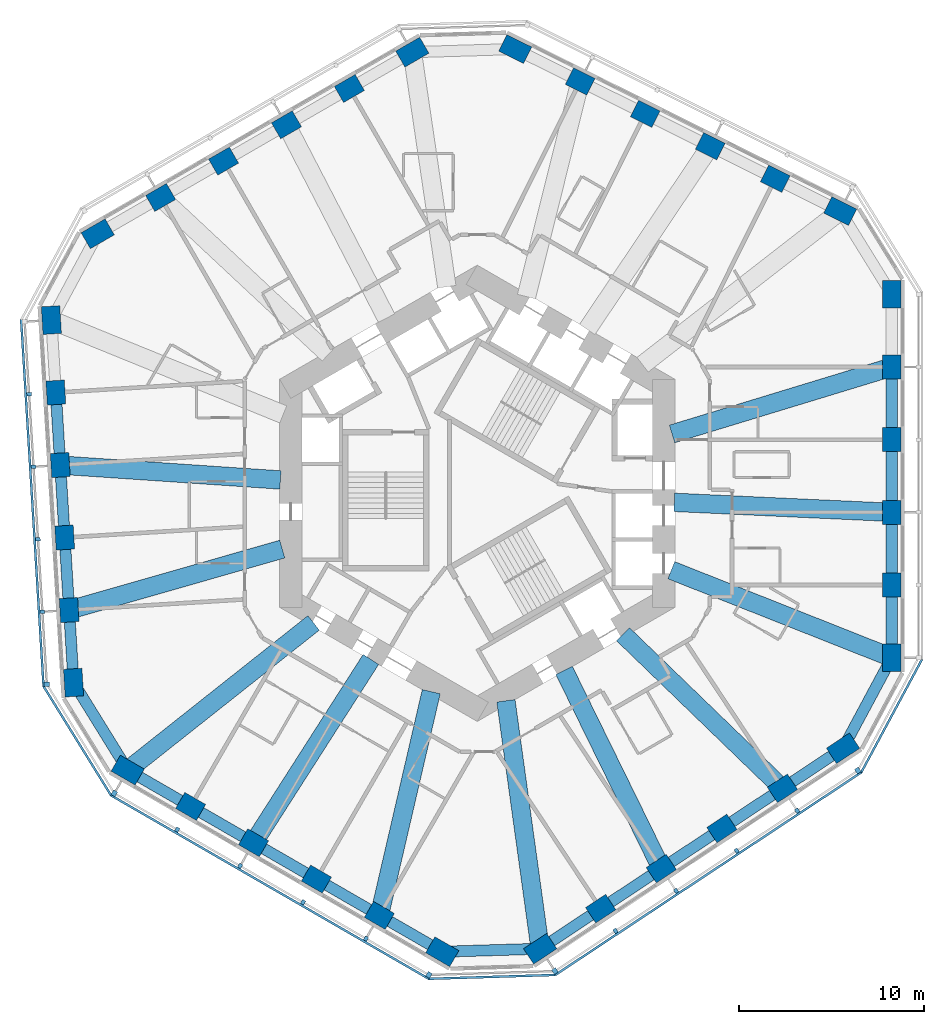
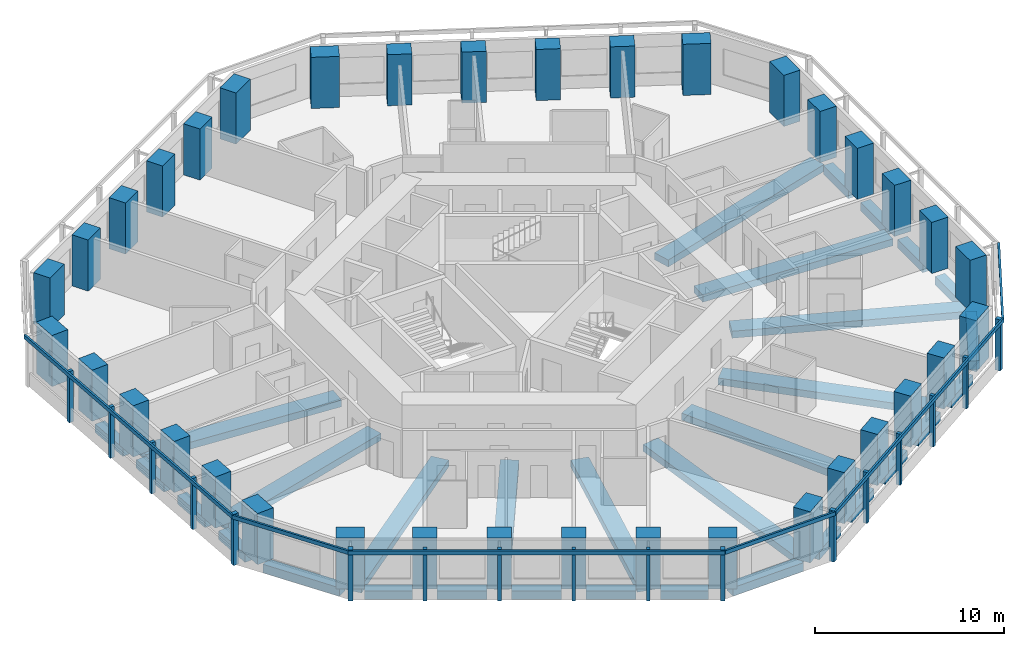
# One storey, part 1 of 12: 36 columns, 32 beams, 23 members, 6 elements without a shape of their own.
"""IFC4 building model written with IfcOpenShell, lengths in metres."""

import ifcopenshell
import ifcopenshell.guid

model = None  # the IFC model being written
_history = None  # IfcOwnerHistory: only IFC2X3 demands one
_inside = {}  # id of a spatial element -> (the spatial element, [elements in it])
_under = {}  # id of a project, library or spatial element -> (it, [spatial elements below it])
_declared = {}  # id of a project -> (the project, [libraries it declares])
_typed = {}  # id of a type object -> (the type object, [elements of that type])
_made_of = {}  # id of a material, layer set ... -> (it, [elements and type objects made of it])


def new_model(schema):
    """Start an empty IFC model of exactly this schema.

    Asked for "IFC4X3", IfcOpenShell would pick the latest addendum, in which some entities
    have other attributes; the version numbers below select the first issue.
    IFC2X3 requires an IfcOwnerHistory on every rooted entity: one is made here for all.
    """
    global model, _history
    if schema == "IFC4X3":
        model = ifcopenshell.file(schema_version=(4, 3, 0, 0))
    else:
        model = ifcopenshell.file(schema=schema)
    _inside.clear()
    _under.clear()
    _declared.clear()
    _typed.clear()
    _made_of.clear()
    _history = None
    if model.schema == "IFC2X3":
        org = make("IfcOrganization", Name="unknown")
        user = make(
            "IfcPersonAndOrganization",
            ThePerson=make("IfcPerson", FamilyName="unknown"),
            TheOrganization=org,
        )
        app = make(
            "IfcApplication",
            ApplicationDeveloper=org,
            Version="unknown",
            ApplicationFullName="unknown",
            ApplicationIdentifier="unknown",
        )
        _history = make(
            "IfcOwnerHistory",
            OwningUser=user,
            OwningApplication=app,
            ChangeAction="ADDED",
            CreationDate=0,
        )
    return model


def make(cls, **values):
    """One entity of the class cls with the attributes given. An attribute that is None is left unset."""
    return model.create_entity(
        cls, **{name: value for name, value in values.items() if value is not None}
    )


def rooted(cls, **values):
    """An entity with a GlobalId (a new one), such as an element, a storey or a relation."""
    return make(cls, GlobalId=ifcopenshell.guid.new(), OwnerHistory=_history, **values)


def si_unit(unit_type, name, prefix=None):
    """IfcSIUnit, for example si_unit("LENGTHUNIT", "METRE", prefix="MILLI")."""
    return make("IfcSIUnit", UnitType=unit_type, Prefix=prefix, Name=name)


def assignment(units):
    """IfcUnitAssignment: the units of a project."""
    return None if units is None else make("IfcUnitAssignment", Units=units)


def point(xyz):
    """IfcCartesianPoint."""
    return None if xyz is None else make("IfcCartesianPoint", Coordinates=xyz)


def direction(xyz):
    """IfcDirection."""
    return None if xyz is None else make("IfcDirection", DirectionRatios=xyz)


def frame(location, z_axis=None, x_axis=None):
    """IfcAxis2Placement3D, a coordinate frame: its origin and axes. An axis left out is left unset."""
    return make(
        "IfcAxis2Placement3D",
        Location=point(location),
        Axis=direction(z_axis),
        RefDirection=direction(x_axis),
    )


def frame_2d(location, x_axis=None):
    """IfcAxis2Placement2D, a coordinate frame in the plane: its origin and x axis."""
    return make(
        "IfcAxis2Placement2D", Location=point(location), RefDirection=direction(x_axis)
    )


def origin():
    """The frame at (0, 0, 0) with its axes left unset."""
    return frame((0.0, 0.0, 0.0))


def origin_2d():
    """The frame at (0, 0) in the plane with its x axis left unset."""
    return frame_2d((0.0, 0.0))


def place(relative_to, where):
    """IfcLocalPlacement: puts the frame where relative to a parent placement (None: the world)."""
    return make(
        "IfcLocalPlacement", PlacementRelTo=relative_to, RelativePlacement=where
    )


def context(
    kind, dimensions, precision=None, world=None, true_north=None, identifier=None
):
    """IfcGeometricRepresentationContext, for example the 3D "Model" context."""
    return make(
        "IfcGeometricRepresentationContext",
        ContextIdentifier=identifier,
        ContextType=kind,
        CoordinateSpaceDimension=dimensions,
        Precision=precision,
        WorldCoordinateSystem=world,
        TrueNorth=true_north,
    )


def subcontext(parent, identifier, kind, view, scale=None):
    """IfcGeometricRepresentationSubContext, for example "Body" below "Model"."""
    return make(
        "IfcGeometricRepresentationSubContext",
        ContextIdentifier=identifier,
        ContextType=kind,
        ParentContext=parent,
        TargetScale=scale,
        TargetView=view,
    )


def project(units=None, contexts=None):
    """IfcProject with its units and contexts."""
    return rooted(
        "IfcProject",
        Name="project",
        RepresentationContexts=contexts,
        UnitsInContext=assignment(units),
    )


def spatial(cls, under=None, at=None, **own):
    """A site, building, storey or space (cls), placed at a placement, below another one or the project."""
    s = rooted(cls, ObjectPlacement=at, **own)
    if under is not None:
        _under.setdefault(under.id(), (under, []))[1].append(s)
    return s


def profile(cls, at=None, kind="AREA", **sizes):
    """A parametric profile (cls). Its sizes go by their IFC names, for example OverallWidth=200.0."""
    return make(cls, ProfileType=kind, Position=at, **sizes)


def rectangle(**sizes):
    """IfcRectangleProfileDef."""
    return profile("IfcRectangleProfileDef", **sizes)


def extrude(swept, where, along, depth):
    """IfcExtrudedAreaSolid: the profile swept, set in the frame where, extruded along a direction by depth."""
    return make(
        "IfcExtrudedAreaSolid",
        SweptArea=swept,
        Position=where,
        ExtrudedDirection=direction(along),
        Depth=depth,
    )


def shape(context_of_items, identifier, shape_type, items):
    """IfcShapeRepresentation: the items that make up one representation, for example the "Body"."""
    return make(
        "IfcShapeRepresentation",
        ContextOfItems=context_of_items,
        RepresentationIdentifier=identifier,
        RepresentationType=shape_type,
        Items=items,
    )


def material(Name=None, Category=None):
    """IfcMaterial."""
    return make("IfcMaterial", Name=Name, Category=Category)


def material_profile(
    of_material, cross_section, Name=None, Category=None, Priority=None
):
    """IfcMaterialProfile: a cross section and its material."""
    return make(
        "IfcMaterialProfile",
        Name=Name,
        Material=of_material,
        Profile=cross_section,
        Priority=Priority,
        Category=Category,
    )


def profile_set(profiles, Name=None, composite=None):
    """IfcMaterialProfileSet."""
    return make(
        "IfcMaterialProfileSet",
        Name=Name,
        MaterialProfiles=profiles,
        CompositeProfile=composite,
    )


def made_of(thing, what):
    """Note that an element or type object is made of a material, layer set ...; save() writes the relation."""
    if what is not None:
        _made_of.setdefault(what.id(), (what, []))[1].append(thing)
    return thing


def type_object(cls, material=None, **own):
    """A type object (cls), such as IfcWallType, which elements share."""
    return made_of(rooted(cls, **own), material)


def element(
    cls,
    number,
    at=None,
    inside=None,
    cuts=None,
    type_object=None,
    material=None,
    context=None,
    identifier="Body",
    shape_type=None,
    held_by="IfcProductDefinitionShape",
    body=None,
    shapes=None,
    **own,
):
    """One element of the class cls, such as IfcWall. Its Tag is "e" and its number.

    at: its placement. inside: the storey or other place that contains it. cuts: it is an
    opening in that element (IfcRelVoidsElement). A single representation is given by context,
    identifier, shape_type and body (its items); several are given by shapes. held_by: the class
    of the entity that holds the representations. save() writes the other relations.
    """
    e = rooted(cls, Tag="e%d" % number, ObjectPlacement=at, **own)
    if body is not None:
        shapes = [shape(context, identifier, shape_type, body)]
    if shapes is not None:
        e.Representation = make(held_by, Representations=shapes)
    if inside is not None:
        _inside.setdefault(inside.id(), (inside, []))[1].append(e)
    if cuts is not None:
        rooted(
            "IfcRelVoidsElement", RelatingBuildingElement=cuts, RelatedOpeningElement=e
        )
    if type_object is not None:
        _typed.setdefault(type_object.id(), (type_object, []))[1].append(e)
    return made_of(e, material)


def aggregate(whole, parts):
    """IfcRelAggregates: a whole, such as a stair, and the parts it consists of."""
    return rooted("IfcRelAggregates", RelatingObject=whole, RelatedObjects=parts)


def save(model, path):
    """Write the relations noted so far, then the file.

    IfcRelAggregates (storeys below a building ...), IfcRelContainedInSpatialStructure (elements
    in a storey), IfcRelDefinesByType, IfcRelAssociatesMaterial and IfcRelDeclares: one each for
    every whole, place, type object, material and project.
    """
    for whole, parts in _under.values():
        aggregate(whole, parts)
    for where, things in _inside.values():
        rooted(
            "IfcRelContainedInSpatialStructure",
            RelatedElements=things,
            RelatingStructure=where,
        )
    for kind, things in _typed.values():
        rooted("IfcRelDefinesByType", RelatedObjects=things, RelatingType=kind)
    for what, things in _made_of.values():
        rooted("IfcRelAssociatesMaterial", RelatedObjects=things, RelatingMaterial=what)
    for by, libraries in _declared.values():
        rooted("IfcRelDeclares", RelatingContext=by, RelatedDefinitions=libraries)
    model.write(path)


model = new_model("IFC4")

# Units and contexts
model_context = context("Model", 3, precision=1e-05, world=origin(), true_north=direction((0.0, 1.0)))
body_context = subcontext(model_context, "Body", "Model", "MODEL_VIEW")
ifc_project = project(units=[si_unit("LENGTHUNIT", "METRE"), si_unit("AREAUNIT", "SQUARE_METRE"), si_unit("VOLUMEUNIT", "CUBIC_METRE"), si_unit("PLANEANGLEUNIT", "RADIAN"), si_unit("MASSUNIT", "GRAM", prefix="KILO")], contexts=[model_context])

# Site, building, storey
site_placement = place(None, origin())
site = spatial("IfcSite", under=ifc_project, at=site_placement, CompositionType="ELEMENT")
building_placement = place(site_placement, origin())
building = spatial("IfcBuilding", under=site, at=building_placement, Name="Vanh Sen Convention Tower", CompositionType="ELEMENT")
storey_placement = place(building_placement, frame((0.0, 0.0, 57.199951171875)))
storey = spatial("IfcBuildingStorey", under=building, at=storey_placement, Name="L11", CompositionType="ELEMENT", Elevation=57.199951171875)

# Columns
ifc_material_1 = material(Name="Concrete C80/95", Category="concrete")
ifc_material_profile_1 = material_profile(ifc_material_1, rectangle(XDim=1.300048828125, YDim=1.0, at=origin_2d()), Name="RC 1300X1000")
ifc_profile_set_1 = profile_set([ifc_material_profile_1], Name="Concrete C80/95")
column_type_1 = type_object("IfcColumnType", Name="Facade column 1300 x 1000 C80/95", PredefinedType="COLUMN", material=ifc_profile_set_1)
for number, where, z_axis, x_axis, name in (
    (1, (22.449951171875, -4.964599609375, 0.0), (0.0, 0.0, 1.0), (0.0, 1.0, 0.0), "Facade column 02 L11"),
    (2, (22.449951171875, -1.030029296875, 0.0), (0.0, 0.0, 1.0), (0.0, 1.0, 0.0), "Facade column 03 L11"),
    (3, (22.449951171875, 2.904541015625, 0.0), (0.0, 0.0, 1.0), (0.0, 1.0, 0.0), "Facade column 04 L11"),
    (4, (22.449951171875, 6.839111328125, 0.0), (0.0, 0.0, 1.0), (0.0, 1.0, 0.0), "Facade column 05 L11"),
    (5, (16.1376953125, 17.039794921875, 0.0), (0.0, 0.0, 1.0), (-0.894934361602, 0.44619781311, 0.0), "Facade column 08 L11"),
    (6, (12.616455078125, 18.79541015625, 0.0), (0.0, 0.0, 1.0), (-0.894934361602, 0.44619781311, 0.0), "Facade column 09 L11"),
    (7, (9.09521484375, 20.55078125, 0.0), (0.0, 0.0, 1.0), (-0.894934361602, 0.44619781311, 0.0), "Facade column 10 L11"),
    (8, (5.57421875, 22.306396484375, 0.0), (0.0, 0.0, 1.0), (-0.894934361602, 0.44619781311, 0.0), "Facade column 11 L11"),
    (9, (-6.925537109375, 21.924560546875, 0.0), (0.0, 0.0, 1.0), (-0.866025403784, -0.5, 0.0), "Facade column 14 L11"),
    (10, (-10.3330078125, 19.957275390625, 0.0), (0.0, 0.0, 1.0), (-0.866025403784, -0.5, 0.0), "Facade column 15 L11"),
    (11, (-13.740478515625, 17.989990234375, 0.0), (0.0, 0.0, 1.0), (-0.866025403784, -0.5, 0.0), "Facade column 16 L11"),
    (12, (-17.14794921875, 16.022705078125, 0.0), (0.0, 0.0, 1.0), (-0.866025403784, -0.5, 0.0), "Facade column 17 L11"),
    (13, (-22.82568359375, 5.455810546875, 0.0), (0.0, 0.0, 1.0), (0.061048539535, -0.998134798422, 0.0), "Facade column 20 L11"),
    (14, (-22.58544921875, 1.528564453125, 0.0), (0.0, 0.0, 1.0), (0.061048539535, -0.998134798422, 0.0), "Facade column 21 L11"),
    (15, (-22.34521484375, -2.398681640625, 0.0), (0.0, 0.0, 1.0), (0.061048539535, -0.998134798422, 0.0), "Facade column 22 L11"),
    (16, (-22.10498046875, -6.325927734375, 0.0), (0.0, 0.0, 1.0), (0.061048539535, -0.998134798422, 0.0), "Facade column 23 L11"),
    (17, (-15.5244140625, -16.9599609375, 0.0), (0.0, 0.0, 1.0), (0.866025403784, -0.5, 0.0), "Facade column 26 L11"),
    (18, (-12.1171875, -18.92724609375, 0.0), (0.0, 0.0, 1.0), (0.866025403784, -0.5, 0.0), "Facade column 27 L11"),
    (19, (-8.709716796875, -20.89453125, 0.0), (0.0, 0.0, 1.0), (0.866025403784, -0.5, 0.0), "Facade column 28 L11"),
    (20, (-5.302001953125, -22.86181640625, 0.0), (0.0, 0.0, 1.0), (0.866025403784, -0.5, 0.0), "Facade column 29 L11"),
    (21, (6.68798828125, -22.49560546875, 0.0), (0.0, 0.0, 1.0), (0.833885822067, 0.551936985312, 0.0), "Facade column 32 L11"),
    (22, (9.968994140625, -20.323974609375, 0.0), (0.0, 0.0, 1.0), (0.833885822067, 0.551936985312, 0.0), "Facade column 33 L11"),
    (23, (13.25, -18.152099609375, 0.0), (0.0, 0.0, 1.0), (0.833885822067, 0.551936985312, 0.0), "Facade column 34 L11"),
    (24, (16.531005859375, -15.980712890625, 0.0), (0.0, 0.0, 1.0), (0.833885822067, 0.551936985312, 0.0), "Facade column 35 L11"),
):
    element("IfcColumn", number, at=place(storey_placement, frame(where, z_axis=z_axis, x_axis=x_axis)), inside=storey, type_object=column_type_1, Name=name, PredefinedType="COLUMN", context=body_context, shape_type="SweptSolid", body=[
        extrude(rectangle(XDim=1.300048828125, YDim=1.0, at=origin_2d()), origin(), (0.0, 0.0, 1.0), 3.300048828125),
    ])
ifc_material_profile_2 = material_profile(ifc_material_1, rectangle(XDim=1.5, YDim=1.0, at=origin_2d()), Name="RC 1500X1000")
ifc_profile_set_2 = profile_set([ifc_material_profile_2], Name="Concrete C80/95")
column_type_2 = type_object("IfcColumnType", Name="Facade corner column 1500 x 1000 C80/95", PredefinedType="COLUMN", material=ifc_profile_set_2)
for number, where, z_axis, x_axis, name in (
    (25, (22.449951171875, -8.899169921875, 0.0), (0.0, 0.0, 1.0), (0.0, 1.0, 0.0), "Facade column 01 L11"),
    (26, (22.449951171875, 10.773681640625, 0.0), (0.0, 0.0, 1.0), (0.0, 1.0, 0.0), "Facade column 06 L11"),
    (27, (19.658935546875, 15.2841796875, 0.0), (0.0, 0.0, 1.0), (-0.894934361602, 0.44619781311, 0.0), "Facade column 07 L11"),
    (28, (2.052978515625, 24.06201171875, 0.0), (0.0, 0.0, 1.0), (-0.894934361602, 0.44619781311, 0.0), "Facade column 12 L11"),
    (29, (-3.51806640625, 23.891845703125, 0.0), (0.0, 0.0, 1.0), (-0.866025403784, -0.5, 0.0), "Facade column 13 L11"),
    (30, (-20.555419921875, 14.055419921875, 0.0), (0.0, 0.0, 1.0), (-0.866025403784, -0.5, 0.0), "Facade column 18 L11"),
    (31, (-23.06591796875, 9.383056640625, 0.0), (0.0, 0.0, 1.0), (0.061048539535, -0.998134798422, 0.0), "Facade column 19 L11"),
    (32, (-21.86474609375, -10.253173828125, 0.0), (0.0, 0.0, 1.0), (0.061048539535, -0.998134798422, 0.0), "Facade column 24 L11"),
    (33, (-18.931884765625, -14.99267578125, 0.0), (0.0, 0.0, 1.0), (0.866025403784, -0.5, 0.0), "Facade column 25 L11"),
    (34, (-1.894775390625, -24.8291015625, 0.0), (0.0, 0.0, 1.0), (0.866025403784, -0.5, 0.0), "Facade column 30 L11"),
    (35, (3.406982421875, -24.6669921875, 0.0), (0.0, 0.0, 1.0), (0.833885822067, 0.551936985312, 0.0), "Facade column 31 L11"),
    (36, (19.81201171875, -13.808837890625, 0.0), (0.0, 0.0, 1.0), (0.833885822067, 0.551936985312, 0.0), "Facade column 36 L11"),
):
    element("IfcColumn", number, at=place(storey_placement, frame(where, z_axis=z_axis, x_axis=x_axis)), inside=storey, type_object=column_type_2, Name=name, PredefinedType="COLUMN", context=body_context, shape_type="SweptSolid", body=[
        extrude(rectangle(XDim=1.5, YDim=1.0, at=origin_2d()), origin(), (0.0, 0.0, 1.0), 3.300048828125),
    ])

# Curtain wall, member
ifc_material_2 = material(Name="Concrete C50/60", Category="concrete")
curtain_wall_type = type_object("IfcCurtainWallType", Name="Outer skin hotel zone", PredefinedType="NOTDEFINED", material=ifc_material_2)
curtain_wall_1_placement = place(storey_placement, origin())
curtain_wall_1 = element("IfcCurtainWall", 37, at=curtain_wall_1_placement, inside=storey, type_object=curtain_wall_type, Name="OUTER SKIN W L11", PredefinedType="NOTDEFINED")
ifc_material_profile_3 = material_profile(ifc_material_2, rectangle(XDim=0.25, YDim=0.300048828125, at=origin_2d()), Name="Outer skin precast corner fin 250 x 300")
ifc_profile_set_3 = profile_set([ifc_material_profile_3], Name="Concrete C50/60")
member_type_1 = type_object("IfcMemberType", Name="Outer skin precast corner fin 250 x 300", PredefinedType="MULLION", material=ifc_profile_set_3)
member_1_placement = place(storey_placement, frame((-23.31201171875, -10.341796875, 0.0), z_axis=(0.0, 0.0, 1.0), x_axis=(0.061048539535, -0.998134798422, 0.0)))
member_1 = element("IfcMember", 38, at=member_1_placement, type_object=member_type_1, Name="OUTER SKIN CORNER FIN 6 W L11", PredefinedType="MULLION", context=body_context, shape_type="SweptSolid", body=[
    extrude(rectangle(XDim=0.25, YDim=0.300048828125, at=origin_2d()), origin(), (0.0, 0.0, 1.0), 3.300048828125),
])

# Curtain wall, members
curtain_wall_2_placement = place(storey_placement, origin())
curtain_wall_2 = element("IfcCurtainWall", 39, at=curtain_wall_2_placement, inside=storey, type_object=curtain_wall_type, Name="OUTER SKIN SW L11", PredefinedType="NOTDEFINED")
member_2_placement = place(storey_placement, frame((-19.656982421875, -16.248291015625, 0.0), z_axis=(0.0, 0.0, 1.0), x_axis=(0.866025403784, -0.5, 0.0)))
member_2 = element("IfcMember", 40, at=member_2_placement, type_object=member_type_1, Name="OUTER SKIN CORNER FIN 1 SW L11", PredefinedType="MULLION", context=body_context, shape_type="SweptSolid", body=[
    extrude(rectangle(XDim=0.25, YDim=0.300048828125, at=origin_2d()), origin(), (0.0, 0.0, 1.0), 3.300048828125),
])
member_3_placement = place(storey_placement, frame((-2.61962890625, -26.084716796875, 0.0), z_axis=(0.0, 0.0, 1.0), x_axis=(0.866025403784, -0.5, 0.0)))
member_3 = element("IfcMember", 41, at=member_3_placement, type_object=member_type_1, Name="OUTER SKIN CORNER FIN 6 SW L11", PredefinedType="MULLION", context=body_context, shape_type="SweptSolid", body=[
    extrude(rectangle(XDim=0.25, YDim=0.300048828125, at=origin_2d()), origin(), (0.0, 0.0, 1.0), 3.300048828125),
])

curtain_wall_3_placement = place(storey_placement, origin())
curtain_wall_3 = element("IfcCurtainWall", 42, at=curtain_wall_3_placement, inside=storey, type_object=curtain_wall_type, Name="OUTER SKIN SE L11", PredefinedType="NOTDEFINED")
member_4_placement = place(storey_placement, frame((4.207275390625, -25.876220703125, 0.0), z_axis=(0.0, 0.0, 1.0), x_axis=(0.833885822067, 0.551936985312, 0.0)))
member_4 = element("IfcMember", 43, at=member_4_placement, type_object=member_type_1, Name="OUTER SKIN CORNER FIN 1 SE L11", PredefinedType="MULLION", context=body_context, shape_type="SweptSolid", body=[
    extrude(rectangle(XDim=0.25, YDim=0.300048828125, at=origin_2d()), origin(), (0.0, 0.0, 1.0), 3.300048828125),
])
member_5_placement = place(storey_placement, frame((20.6123046875, -15.01806640625, 0.0), z_axis=(0.0, 0.0, 1.0), x_axis=(0.833885822067, 0.551936985312, 0.0)))
member_5 = element("IfcMember", 44, at=member_5_placement, type_object=member_type_1, Name="OUTER SKIN CORNER FIN 6 SE L11", PredefinedType="MULLION", context=body_context, shape_type="SweptSolid", body=[
    extrude(rectangle(XDim=0.25, YDim=0.300048828125, at=origin_2d()), origin(), (0.0, 0.0, 1.0), 3.300048828125),
])

# Member
ifc_material_profile_4 = material_profile(ifc_material_2, rectangle(XDim=0.199951171875, YDim=0.25, at=origin_2d()), Name="Outer skin precast fin 200 x 250")
ifc_profile_set_4 = profile_set([ifc_material_profile_4], Name="Concrete C50/60")
member_type_2 = type_object("IfcMemberType", Name="Outer skin precast fin 200 x 250", PredefinedType="MULLION", material=ifc_profile_set_4)
member_6_placement = place(storey_placement, frame((-24.27294921875, 5.3671875, 0.0), z_axis=(0.0, 0.0, 1.0), x_axis=(0.061048539535, -0.998134798422, 0.0)))
member_6 = element("IfcMember", 45, at=member_6_placement, type_object=member_type_2, Name="OUTER SKIN fin 2 W L11", PredefinedType="MULLION", context=body_context, shape_type="SweptSolid", body=[
    extrude(rectangle(XDim=0.199951171875, YDim=0.25, at=origin_2d()), origin(), (0.0, 0.0, 1.0), 3.300048828125),
])

member_7_placement = place(storey_placement, frame((-24.03271484375, 1.440185546875, 0.0), z_axis=(0.0, 0.0, 1.0), x_axis=(0.061048539535, -0.998134798422, 0.0)))
member_7 = element("IfcMember", 46, at=member_7_placement, type_object=member_type_2, Name="OUTER SKIN fin 3 W L11", PredefinedType="MULLION", context=body_context, shape_type="SweptSolid", body=[
    extrude(rectangle(XDim=0.199951171875, YDim=0.25, at=origin_2d()), origin(), (0.0, 0.0, 1.0), 3.300048828125),
])

member_8_placement = place(storey_placement, frame((-23.79248046875, -2.4873046875, 0.0), z_axis=(0.0, 0.0, 1.0), x_axis=(0.061048539535, -0.998134798422, 0.0)))
member_8 = element("IfcMember", 47, at=member_8_placement, type_object=member_type_2, Name="OUTER SKIN fin 4 W L11", PredefinedType="MULLION", context=body_context, shape_type="SweptSolid", body=[
    extrude(rectangle(XDim=0.199951171875, YDim=0.25, at=origin_2d()), origin(), (0.0, 0.0, 1.0), 3.300048828125),
])

member_9_placement = place(storey_placement, frame((-23.55224609375, -6.414306640625, 0.0), z_axis=(0.0, 0.0, 1.0), x_axis=(0.061048539535, -0.998134798422, 0.0)))
member_9 = element("IfcMember", 48, at=member_9_placement, type_object=member_type_2, Name="OUTER SKIN fin 5 W L11", PredefinedType="MULLION", context=body_context, shape_type="SweptSolid", body=[
    extrude(rectangle(XDim=0.199951171875, YDim=0.25, at=origin_2d()), origin(), (0.0, 0.0, 1.0), 3.300048828125),
])

member_10_placement = place(storey_placement, frame((-16.24951171875, -18.2158203125, 0.0), z_axis=(0.0, 0.0, 1.0), x_axis=(0.866025403784, -0.5, 0.0)))
member_10 = element("IfcMember", 49, at=member_10_placement, type_object=member_type_2, Name="OUTER SKIN fin 2 SW L11", PredefinedType="MULLION", context=body_context, shape_type="SweptSolid", body=[
    extrude(rectangle(XDim=0.199951171875, YDim=0.25, at=origin_2d()), origin(), (0.0, 0.0, 1.0), 3.300048828125),
])

member_11_placement = place(storey_placement, frame((-12.842041015625, -20.182861328125, 0.0), z_axis=(0.0, 0.0, 1.0), x_axis=(0.866025403784, -0.5, 0.0)))
member_11 = element("IfcMember", 50, at=member_11_placement, type_object=member_type_2, Name="OUTER SKIN fin 3 SW L11", PredefinedType="MULLION", context=body_context, shape_type="SweptSolid", body=[
    extrude(rectangle(XDim=0.199951171875, YDim=0.25, at=origin_2d()), origin(), (0.0, 0.0, 1.0), 3.300048828125),
])

member_12_placement = place(storey_placement, frame((-9.4345703125, -22.150146484375, 0.0), z_axis=(0.0, 0.0, 1.0), x_axis=(0.866025403784, -0.5, 0.0)))
member_12 = element("IfcMember", 51, at=member_12_placement, type_object=member_type_2, Name="OUTER SKIN fin 4 SW L11", PredefinedType="MULLION", context=body_context, shape_type="SweptSolid", body=[
    extrude(rectangle(XDim=0.199951171875, YDim=0.25, at=origin_2d()), origin(), (0.0, 0.0, 1.0), 3.300048828125),
])

member_13_placement = place(storey_placement, frame((-6.027099609375, -24.117431640625, 0.0), z_axis=(0.0, 0.0, 1.0), x_axis=(0.866025403784, -0.5, 0.0)))
member_13 = element("IfcMember", 52, at=member_13_placement, type_object=member_type_2, Name="OUTER SKIN fin 5 SW L11", PredefinedType="MULLION", context=body_context, shape_type="SweptSolid", body=[
    extrude(rectangle(XDim=0.199951171875, YDim=0.25, at=origin_2d()), origin(), (0.0, 0.0, 1.0), 3.300048828125),
])

member_14_placement = place(storey_placement, frame((7.48828125, -23.70458984375, 0.0), z_axis=(0.0, 0.0, 1.0), x_axis=(0.833885822067, 0.551936985312, 0.0)))
member_14 = element("IfcMember", 53, at=member_14_placement, type_object=member_type_2, Name="OUTER SKIN fin 2 SE L11", PredefinedType="MULLION", context=body_context, shape_type="SweptSolid", body=[
    extrude(rectangle(XDim=0.199951171875, YDim=0.25, at=origin_2d()), origin(), (0.0, 0.0, 1.0), 3.300048828125),
])

member_15_placement = place(storey_placement, frame((10.769287109375, -21.532958984375, 0.0), z_axis=(0.0, 0.0, 1.0), x_axis=(0.833885822067, 0.551936985312, 0.0)))
member_15 = element("IfcMember", 54, at=member_15_placement, type_object=member_type_2, Name="OUTER SKIN fin 3 SE L11", PredefinedType="MULLION", context=body_context, shape_type="SweptSolid", body=[
    extrude(rectangle(XDim=0.199951171875, YDim=0.25, at=origin_2d()), origin(), (0.0, 0.0, 1.0), 3.300048828125),
])

member_16_placement = place(storey_placement, frame((14.05029296875, -19.361328125, 0.0), z_axis=(0.0, 0.0, 1.0), x_axis=(0.833885822067, 0.551936985312, 0.0)))
member_16 = element("IfcMember", 55, at=member_16_placement, type_object=member_type_2, Name="OUTER SKIN fin 4 SE L11", PredefinedType="MULLION", context=body_context, shape_type="SweptSolid", body=[
    extrude(rectangle(XDim=0.199951171875, YDim=0.25, at=origin_2d()), origin(), (0.0, 0.0, 1.0), 3.300048828125),
])

member_17_placement = place(storey_placement, frame((17.331298828125, -17.189697265625, 0.0), z_axis=(0.0, 0.0, 1.0), x_axis=(0.833885822067, 0.551936985312, 0.0)))
member_17 = element("IfcMember", 56, at=member_17_placement, type_object=member_type_2, Name="OUTER SKIN fin 5 SE L11", PredefinedType="MULLION", context=body_context, shape_type="SweptSolid", body=[
    extrude(rectangle(XDim=0.199951171875, YDim=0.25, at=origin_2d()), origin(), (0.0, 0.0, 1.0), 3.300048828125),
])

ifc_material_profile_5 = material_profile(ifc_material_2, rectangle(XDim=0.1201171875, YDim=0.25, at=origin_2d()), Name="Outer skin precast spandrel band 250 x 120")
ifc_profile_set_5 = profile_set([ifc_material_profile_5], Name="Concrete C50/60")
member_type_3 = type_object("IfcMemberType", Name="Outer skin precast spandrel band 250 x 120", PredefinedType="USERDEFINED", material=ifc_profile_set_5)
member_18_placement = place(storey_placement, frame((-24.705322265625, 9.408203125, 3.175048828125), z_axis=(0.061050017989, -0.998134707995, 0.0), x_axis=(0.998134707995, 0.061050017989, 0.0)))
member_18 = element("IfcMember", 57, at=member_18_placement, type_object=member_type_3, Name="OUTER SKIN spandrel band W L11", ObjectType="TRANSOM", PredefinedType="USERDEFINED", context=body_context, shape_type="SweptSolid", body=[
    extrude(rectangle(XDim=0.1201171875, YDim=0.25, at=origin_2d()), origin(), (0.0, 0.0, 1.0), 19.923095703125),
])

aggregate(curtain_wall_1, [member_6, member_7, member_8, member_9, member_1, member_18])

# Curtain wall, member
curtain_wall_4_placement = place(storey_placement, origin())
curtain_wall_4 = element("IfcCurtainWall", 58, at=curtain_wall_4_placement, inside=storey, type_object=curtain_wall_type, Name="OUTER SKIN CH4 L11", PredefinedType="NOTDEFINED")
member_19_placement = place(storey_placement, frame((-23.49072265625, -10.4521484375, 3.175048828125), z_axis=(0.526196095141, -0.850363257354, 0.0), x_axis=(0.850363257354, 0.526196095141, 0.0)))
member_19 = element("IfcMember", 59, at=member_19_placement, type_object=member_type_3, Name="OUTER SKIN spandrel band CH4 L11", ObjectType="TRANSOM", PredefinedType="USERDEFINED", context=body_context, shape_type="SweptSolid", body=[
    extrude(rectangle(XDim=0.1201171875, YDim=0.25, at=origin_2d()), origin(), (0.0, 0.0, 1.0), 6.946044921875),
])
aggregate(curtain_wall_4, [member_19])

# Member
member_20_placement = place(storey_placement, frame((-19.85791015625, -16.34619140625, 3.175048828125), z_axis=(0.866028047459, -0.499995420993, 0.0), x_axis=(0.499995420993, 0.866028047459, 0.0)))
member_20 = element("IfcMember", 60, at=member_20_placement, type_object=member_type_3, Name="OUTER SKIN spandrel band SW L11", ObjectType="TRANSOM", PredefinedType="USERDEFINED", context=body_context, shape_type="SweptSolid", body=[
    extrude(rectangle(XDim=0.1201171875, YDim=0.25, at=origin_2d()), origin(), (0.0, 0.0, 1.0), 19.923095703125),
])

aggregate(curtain_wall_2, [member_2, member_10, member_11, member_12, member_13, member_3, member_20])

# Curtain wall, member
curtain_wall_5_placement = place(storey_placement, origin())
curtain_wall_5 = element("IfcCurtainWall", 61, at=curtain_wall_5_placement, inside=storey, type_object=curtain_wall_type, Name="OUTER SKIN CH5 L11", PredefinedType="NOTDEFINED")
member_21_placement = place(storey_placement, frame((-2.61328125, -26.294677734375, 3.175048828125), z_axis=(0.99953396928, 0.030526124156, 0.0), x_axis=(-0.030526124156, 0.99953396928, 0.0)))
member_21 = element("IfcMember", 62, at=member_21_placement, type_object=member_type_3, Name="OUTER SKIN spandrel band CH5 L11", ObjectType="TRANSOM", PredefinedType="USERDEFINED", context=body_context, shape_type="SweptSolid", body=[
    extrude(rectangle(XDim=0.1201171875, YDim=0.25, at=origin_2d()), origin(), (0.0, 0.0, 1.0), 6.830078125),
])
aggregate(curtain_wall_5, [member_21])

# Member
member_22_placement = place(storey_placement, frame((4.205078125, -26.099609375, 3.175048828125), z_axis=(0.833883851182, 0.551939962984, 0.0), x_axis=(-0.551939962984, 0.833883851182, 0.0)))
member_22 = element("IfcMember", 63, at=member_22_placement, type_object=member_type_3, Name="OUTER SKIN spandrel band SE L11", ObjectType="TRANSOM", PredefinedType="USERDEFINED", context=body_context, shape_type="SweptSolid", body=[
    extrude(rectangle(XDim=0.1201171875, YDim=0.25, at=origin_2d()), origin(), (0.0, 0.0, 1.0), 19.923095703125),
])

aggregate(curtain_wall_3, [member_4, member_14, member_15, member_16, member_17, member_5, member_22])

# Curtain wall, member
curtain_wall_6_placement = place(storey_placement, origin())
curtain_wall_6 = element("IfcCurtainWall", 64, at=curtain_wall_6_placement, inside=storey, type_object=curtain_wall_type, Name="OUTER SKIN CH6 L11", PredefinedType="NOTDEFINED")
member_23_placement = place(storey_placement, frame((20.797119140625, -15.117431640625, 3.175048828125), z_axis=(0.473324148816, 0.880888330123, 0.0), x_axis=(-0.880888330123, 0.473324148816, 0.0)))
member_23 = element("IfcMember", 65, at=member_23_placement, type_object=member_type_3, Name="OUTER SKIN spandrel band CH6 L11", ObjectType="TRANSOM", PredefinedType="USERDEFINED", context=body_context, shape_type="SweptSolid", body=[
    extrude(rectangle(XDim=0.1201171875, YDim=0.25, at=origin_2d()), origin(), (0.0, 0.0, 1.0), 6.9462890625),
])
aggregate(curtain_wall_6, [member_23])

# Beams
ifc_material_3 = material(Name="Concrete C50/60", Category="concrete")
ifc_material_profile_6 = material_profile(ifc_material_3, rectangle(XDim=1.0, YDim=0.449951171875, at=origin_2d()), Name="RC 1000X450")
ifc_profile_set_6 = profile_set([ifc_material_profile_6], Name="Concrete C50/60")
beam_type_1 = type_object("IfcBeamType", Name="Radial floor beam 1000 x 450", PredefinedType="BEAM", material=ifc_profile_set_6)
beam_1_placement = place(storey_placement, frame((22.138916015625, -8.77587890625, -0.474853515625), z_axis=(-0.929624483463, 0.368508235655, 0.0), x_axis=(-0.368508235655, -0.929624483463, 0.0)))
element("IfcBeam", 66, at=beam_1_placement, inside=storey, type_object=beam_type_1, Name="Radial beam 01 L11", PredefinedType="BEAM", context=body_context, shape_type="SweptSolid", body=[
    extrude(rectangle(XDim=1.0, YDim=0.449951171875, at=origin_2d()), origin(), (0.0, 0.0, 1.0), 12.50830078125),
])
beam_2_placement = place(storey_placement, frame((21.977783203125, -1.00830078125, -0.474853515625), z_axis=(-0.998949774884, 0.045818634401, 0.0), x_axis=(-0.045818634401, -0.998949774884, 0.0)))
element("IfcBeam", 67, at=beam_2_placement, inside=storey, type_object=beam_type_1, Name="Radial beam 02 L11", PredefinedType="BEAM", context=body_context, shape_type="SweptSolid", body=[
    extrude(rectangle(XDim=1.0, YDim=0.449951171875, at=origin_2d()), origin(), (0.0, 0.0, 1.0), 11.317626953125),
])
beam_3_placement = place(storey_placement, frame((22.1005859375, 6.732666015625, -0.474853515625), z_axis=(-0.95659843119, -0.291409405211, 0.0), x_axis=(0.291409405211, -0.95659843119, 0.0)))
element("IfcBeam", 68, at=beam_3_placement, inside=storey, type_object=beam_type_1, Name="Radial beam 03 L11", PredefinedType="BEAM", context=body_context, shape_type="SweptSolid", body=[
    extrude(rectangle(XDim=1.0, YDim=0.449951171875, at=origin_2d()), origin(), (0.0, 0.0, 1.0), 12.0751953125),
])
beam_4_placement = place(storey_placement, frame((-22.15185546875, 1.499267578125, -0.474853515625), z_axis=(0.997718156648, -0.067516515721, 0.0), x_axis=(0.067516515721, 0.997718156648, 0.0)))
element("IfcBeam", 69, at=beam_4_placement, inside=storey, type_object=beam_type_1, Name="Radial beam 11 L11", PredefinedType="BEAM", context=body_context, shape_type="SweptSolid", body=[
    extrude(rectangle(XDim=1.0, YDim=0.449951171875, at=origin_2d()), origin(), (0.0, 0.0, 1.0), 11.51708984375),
])
beam_5_placement = place(storey_placement, frame((-21.723876953125, -6.216796875, -0.474853515625), z_axis=(0.961405669021, 0.275134766203, 0.0), x_axis=(-0.275134766203, 0.961405669021, 0.0)))
element("IfcBeam", 70, at=beam_5_placement, inside=storey, type_object=beam_type_1, Name="Radial beam 12 L11", PredefinedType="BEAM", context=body_context, shape_type="SweptSolid", body=[
    extrude(rectangle(XDim=1.0, YDim=0.449951171875, at=origin_2d()), origin(), (0.0, 0.0, 1.0), 11.614501953125),
])
beam_6_placement = place(storey_placement, frame((-18.669677734375, -14.784912109375, -0.474853515625), z_axis=(0.783946075621, 0.620828922102, 0.0), x_axis=(-0.620828922102, 0.783946075621, 0.0)))
element("IfcBeam", 71, at=beam_6_placement, inside=storey, type_object=beam_type_1, Name="Radial beam 13 L11", PredefinedType="BEAM", context=body_context, shape_type="SweptSolid", body=[
    extrude(rectangle(XDim=1.0, YDim=0.449951171875, at=origin_2d()), origin(), (0.0, 0.0, 1.0), 12.508056640625),
])
beam_7_placement = place(storey_placement, frame((-11.8623046875, -18.529296875, -0.474853515625), z_axis=(0.539168157523, 0.842198134594, 0.0), x_axis=(-0.842198134594, 0.539168157523, 0.0)))
element("IfcBeam", 72, at=beam_7_placement, inside=storey, type_object=beam_type_1, Name="Radial beam 14 L11", PredefinedType="BEAM", context=body_context, shape_type="SweptSolid", body=[
    extrude(rectangle(XDim=1.0, YDim=0.449951171875, at=origin_2d()), origin(), (0.0, 0.0, 1.0), 11.31787109375),
])
beam_8_placement = place(storey_placement, frame((-5.219482421875, -22.505859375, -0.474853515625), z_axis=(0.225921069531, 0.974145610441, 0.0), x_axis=(-0.974145610441, 0.225921069531, 0.0)))
element("IfcBeam", 73, at=beam_8_placement, inside=storey, type_object=beam_type_1, Name="Radial beam 15 L11", PredefinedType="BEAM", context=body_context, shape_type="SweptSolid", body=[
    extrude(rectangle(XDim=1.0, YDim=0.449951171875, at=origin_2d()), origin(), (0.0, 0.0, 1.0), 12.0751953125),
])
beam_9_placement = place(storey_placement, frame((3.364501953125, -24.3603515625, -0.474853515625), z_axis=(-0.136807007089, 0.990597719971, 0.0), x_axis=(-0.990597719971, -0.136807007089, 0.0)))
element("IfcBeam", 74, at=beam_9_placement, inside=storey, type_object=beam_type_1, Name="Radial beam 16 L11", PredefinedType="BEAM", context=body_context, shape_type="SweptSolid", body=[
    extrude(rectangle(XDim=1.0, YDim=0.449951171875, at=origin_2d()), origin(), (0.0, 0.0, 1.0), 13.24853515625),
])
beam_10_placement = place(storey_placement, frame((9.777587890625, -19.933837890625, -0.474853515625), z_axis=(-0.440374700847, 0.897814080339, 0.0), x_axis=(-0.897814080339, -0.440374700847, 0.0)))
element("IfcBeam", 75, at=beam_10_placement, inside=storey, type_object=beam_type_1, Name="Radial beam 17 L11", PredefinedType="BEAM", context=body_context, shape_type="SweptSolid", body=[
    extrude(rectangle(XDim=1.0, YDim=0.449951171875, at=origin_2d()), origin(), (0.0, 0.0, 1.0), 11.516845703125),
])
beam_11_placement = place(storey_placement, frame((16.245849609375, -15.705078125, -0.474853515625), z_axis=(-0.718976471313, 0.695034411881, 0.0), x_axis=(-0.695034411881, -0.718976471313, 0.0)))
element("IfcBeam", 76, at=beam_11_placement, inside=storey, type_object=beam_type_1, Name="Radial beam 18 L11", PredefinedType="BEAM", context=body_context, shape_type="SweptSolid", body=[
    extrude(rectangle(XDim=1.0, YDim=0.449951171875, at=origin_2d()), origin(), (0.0, 0.0, 1.0), 11.614501953125),
])
ifc_material_profile_7 = material_profile(ifc_material_3, rectangle(XDim=0.60009765625, YDim=0.550048828125, at=origin_2d()), Name="RC 600X550")
ifc_profile_set_7 = profile_set([ifc_material_profile_7], Name="Concrete C50/60")
beam_type_2 = type_object("IfcBeamType", Name="Spandrel beam 600 x 550", PredefinedType="SPANDREL", material=ifc_profile_set_7)
beam_12_placement = place(storey_placement, frame((22.449951171875, -8.154296875, -0.52490234375), z_axis=(0.0, 1.0, 0.0), x_axis=(-1.0, 0.0, 0.0)))
element("IfcBeam", 77, at=beam_12_placement, inside=storey, type_object=beam_type_2, Name="Spandrel beam 01 L11", PredefinedType="SPANDREL", context=body_context, shape_type="SweptSolid", body=[
    extrude(rectangle(XDim=0.60009765625, YDim=0.550048828125, at=origin_2d()), origin(), (0.0, 0.0, 1.0), 2.544677734375),
])
for number, where, z_axis, x_axis, name in (
    (78, (22.449951171875, -4.319580078125, -0.52490234375), (0.0, 1.0, 0.0), (-1.0, 0.0, 0.0), "Spandrel beam 02 L11"),
    (79, (22.449951171875, -0.385009765625, -0.52490234375), (0.0, 1.0, 0.0), (-1.0, 0.0, 0.0), "Spandrel beam 03 L11"),
    (80, (22.449951171875, 3.549560546875, -0.52490234375), (0.0, 1.0, 0.0), (-1.0, 0.0, 0.0), "Spandrel beam 04 L11"),
    (81, (-22.7861328125, 4.81201171875, -0.52490234375), (0.061021844318, -0.998136430813, 0.0), (0.998136430813, 0.061021844318, 0.0), "Spandrel beam 20 L11"),
    (82, (-22.5458984375, 0.884765625, -0.52490234375), (0.061021844318, -0.998136430813, 0.0), (0.998136430813, 0.061021844318, 0.0), "Spandrel beam 21 L11"),
    (83, (-22.305908203125, -3.04248046875, -0.52490234375), (0.061113817246, -0.998130803723, 0.0), (0.998130803723, 0.061113817246, 0.0), "Spandrel beam 22 L11"),
):
    element("IfcBeam", number, at=place(storey_placement, frame(where, z_axis=z_axis, x_axis=x_axis)), inside=storey, type_object=beam_type_2, Name=name, PredefinedType="SPANDREL", context=body_context, shape_type="SweptSolid", body=[
        extrude(rectangle(XDim=0.60009765625, YDim=0.550048828125, at=origin_2d()), origin(), (0.0, 0.0, 1.0), 2.64453125),
    ])
beam_13_placement = place(storey_placement, frame((-22.065673828125, -6.9697265625, -0.52490234375), z_axis=(0.061022277531, -0.998136404328, 0.0), x_axis=(0.998136404328, 0.061022277531, 0.0)))
element("IfcBeam", 84, at=beam_13_placement, inside=storey, type_object=beam_type_2, Name="Spandrel beam 23 L11", PredefinedType="SPANDREL", context=body_context, shape_type="SweptSolid", body=[
    extrude(rectangle(XDim=0.60009765625, YDim=0.550048828125, at=origin_2d()), origin(), (0.0, 0.0, 1.0), 2.54443359375),
])
beam_14_placement = place(storey_placement, frame((-21.605224609375, -10.672607421875, -0.52490234375), z_axis=(0.526195204359, -0.850363808561, 0.0), x_axis=(0.850363808561, 0.526195204359, 0.0)))
element("IfcBeam", 85, at=beam_14_placement, inside=storey, type_object=beam_type_2, Name="Spandrel beam 24 L11", PredefinedType="SPANDREL", context=body_context, shape_type="SweptSolid", body=[
    extrude(rectangle(XDim=0.60009765625, YDim=0.550048828125, at=origin_2d()), origin(), (0.0, 0.0, 1.0), 4.58740234375),
])
beam_15_placement = place(storey_placement, frame((-18.286865234375, -15.365234375, -0.52490234375), z_axis=(0.866056180903, -0.499946688677, 0.0), x_axis=(0.499946688677, 0.866056180903, 0.0)))
element("IfcBeam", 86, at=beam_15_placement, inside=storey, type_object=beam_type_2, Name="Spandrel beam 25 L11", PredefinedType="SPANDREL", context=body_context, shape_type="SweptSolid", body=[
    extrude(rectangle(XDim=0.60009765625, YDim=0.550048828125, at=origin_2d()), origin(), (0.0, 0.0, 1.0), 2.544677734375),
])
beam_16_placement = place(storey_placement, frame((-14.9658203125, -17.282470703125, -0.52490234375), z_axis=(0.866007234284, -0.500031469177, 0.0), x_axis=(0.500031469177, 0.866007234284, 0.0)))
element("IfcBeam", 87, at=beam_16_placement, inside=storey, type_object=beam_type_2, Name="Spandrel beam 26 L11", PredefinedType="SPANDREL", context=body_context, shape_type="SweptSolid", body=[
    extrude(rectangle(XDim=0.60009765625, YDim=0.550048828125, at=origin_2d()), origin(), (0.0, 0.0, 1.0), 2.644287109375),
])
for number, where, z_axis, x_axis, name in (
    (88, (-11.55859375, -19.249755859375, -0.52490234375), (0.866030315638, -0.499991492324, 0.0), (0.499991492324, 0.866030315638, 0.0), "Spandrel beam 27 L11"),
    (89, (-8.15087890625, -21.217041015625, -0.52490234375), (0.866030315638, -0.499991492324, 0.0), (0.499991492324, 0.866030315638, 0.0), "Spandrel beam 28 L11"),
):
    element("IfcBeam", number, at=place(storey_placement, frame(where, z_axis=z_axis, x_axis=x_axis)), inside=storey, type_object=beam_type_2, Name=name, PredefinedType="SPANDREL", context=body_context, shape_type="SweptSolid", body=[
        extrude(rectangle(XDim=0.60009765625, YDim=0.550048828125, at=origin_2d()), origin(), (0.0, 0.0, 1.0), 2.64453125),
    ])
beam_17_placement = place(storey_placement, frame((-4.743408203125, -23.184326171875, -0.52490234375), z_axis=(0.866032197868, -0.499988232117, 0.0), x_axis=(0.499988232117, 0.866032197868, 0.0)))
element("IfcBeam", 90, at=beam_17_placement, inside=storey, type_object=beam_type_2, Name="Spandrel beam 29 L11", PredefinedType="SPANDREL", context=body_context, shape_type="SweptSolid", body=[
    extrude(rectangle(XDim=0.60009765625, YDim=0.550048828125, at=origin_2d()), origin(), (0.0, 0.0, 1.0), 2.54443359375),
])
beam_18_placement = place(storey_placement, frame((-1.4345703125, -24.81494140625, -0.52490234375), z_axis=(0.999534100542, 0.030521825872, 0.0), x_axis=(-0.030521825872, 0.999534100542, 0.0)))
element("IfcBeam", 91, at=beam_18_placement, inside=storey, type_object=beam_type_2, Name="Spandrel beam 30 L11", PredefinedType="SPANDREL", context=body_context, shape_type="SweptSolid", body=[
    extrude(rectangle(XDim=0.60009765625, YDim=0.550048828125, at=origin_2d()), origin(), (0.0, 0.0, 1.0), 4.38330078125),
])
beam_19_placement = place(storey_placement, frame((4.028076171875, -24.255859375, -0.52490234375), z_axis=(0.833905579906, 0.551907133313, 0.0), x_axis=(-0.551907133313, 0.833905579906, 0.0)))
element("IfcBeam", 92, at=beam_19_placement, inside=storey, type_object=beam_type_2, Name="Spandrel beam 31 L11", PredefinedType="SPANDREL", context=body_context, shape_type="SweptSolid", body=[
    extrude(rectangle(XDim=0.60009765625, YDim=0.550048828125, at=origin_2d()), origin(), (0.0, 0.0, 1.0), 2.54443359375),
])
beam_20_placement = place(storey_placement, frame((7.225830078125, -22.139404296875, -0.52490234375), z_axis=(0.833892212548, 0.551927330227, 0.0), x_axis=(-0.551927330227, 0.833892212548, 0.0)))
element("IfcBeam", 93, at=beam_20_placement, inside=storey, type_object=beam_type_2, Name="Spandrel beam 32 L11", PredefinedType="SPANDREL", context=body_context, shape_type="SweptSolid", body=[
    extrude(rectangle(XDim=0.60009765625, YDim=0.550048828125, at=origin_2d()), origin(), (0.0, 0.0, 1.0), 2.644287109375),
])
beam_21_placement = place(storey_placement, frame((10.5068359375, -19.968017578125, -0.52490234375), z_axis=(0.833849719202, 0.551991526916, 0.0), x_axis=(-0.551991526916, 0.833849719202, 0.0)))
element("IfcBeam", 94, at=beam_21_placement, inside=storey, type_object=beam_type_2, Name="Spandrel beam 33 L11", PredefinedType="SPANDREL", context=body_context, shape_type="SweptSolid", body=[
    extrude(rectangle(XDim=0.60009765625, YDim=0.550048828125, at=origin_2d()), origin(), (0.0, 0.0, 1.0), 2.64453125),
])
beam_22_placement = place(storey_placement, frame((13.787841796875, -17.796142578125, -0.52490234375), z_axis=(0.833892212548, 0.551927330227, 0.0), x_axis=(-0.551927330227, 0.833892212548, 0.0)))
element("IfcBeam", 95, at=beam_22_placement, inside=storey, type_object=beam_type_2, Name="Spandrel beam 34 L11", PredefinedType="SPANDREL", context=body_context, shape_type="SweptSolid", body=[
    extrude(rectangle(XDim=0.60009765625, YDim=0.550048828125, at=origin_2d()), origin(), (0.0, 0.0, 1.0), 2.644287109375),
])
beam_23_placement = place(storey_placement, frame((17.06884765625, -15.62451171875, -0.52490234375), z_axis=(0.833905579906, 0.551907133313, 0.0), x_axis=(-0.551907133313, 0.833905579906, 0.0)))
element("IfcBeam", 96, at=beam_23_placement, inside=storey, type_object=beam_type_2, Name="Spandrel beam 35 L11", PredefinedType="SPANDREL", context=body_context, shape_type="SweptSolid", body=[
    extrude(rectangle(XDim=0.60009765625, YDim=0.550048828125, at=origin_2d()), origin(), (0.0, 0.0, 1.0), 2.54443359375),
])
beam_24_placement = place(storey_placement, frame((20.04541015625, -13.37451171875, -0.52490234375), z_axis=(0.473290328657, 0.880906501735, 0.0), x_axis=(-0.880906501735, 0.473290328657, 0.0)))
element("IfcBeam", 97, at=beam_24_placement, inside=storey, type_object=beam_type_2, Name="Spandrel beam 36 L11", PredefinedType="SPANDREL", context=body_context, shape_type="SweptSolid", body=[
    extrude(rectangle(XDim=0.60009765625, YDim=0.550048828125, at=origin_2d()), origin(), (0.0, 0.0, 1.0), 4.58740234375),
])

save(model, "model.ifc")
